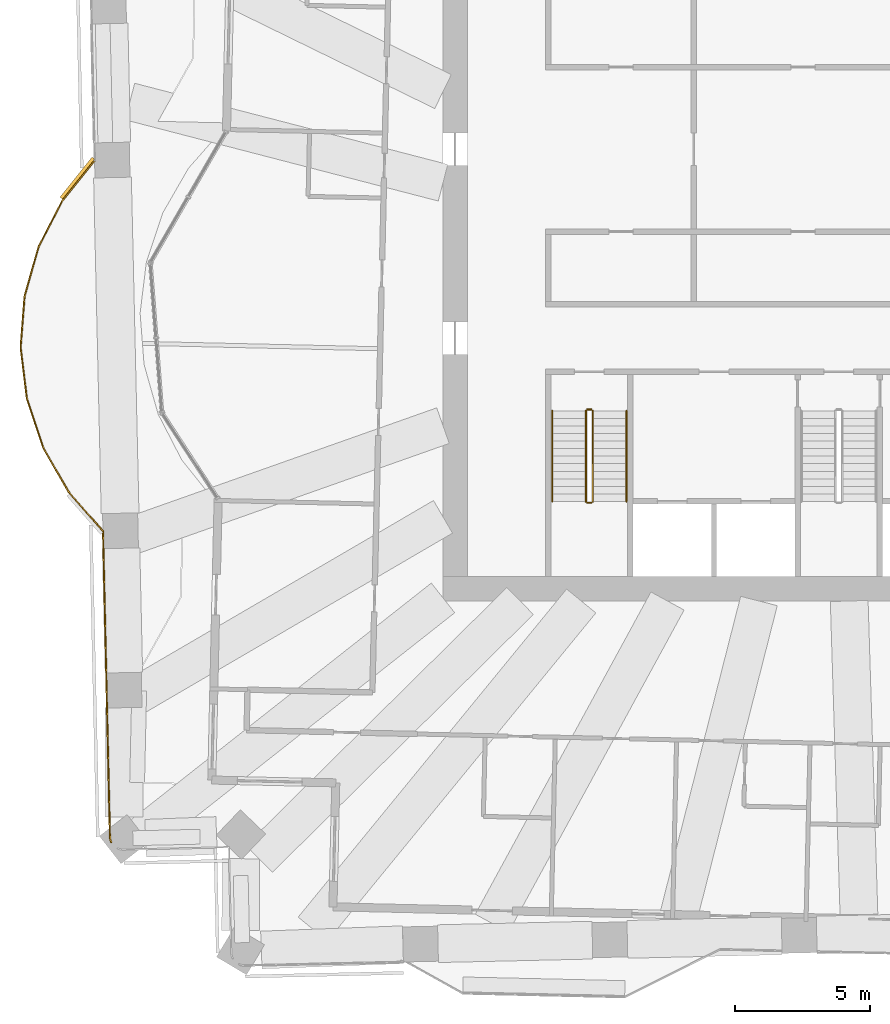
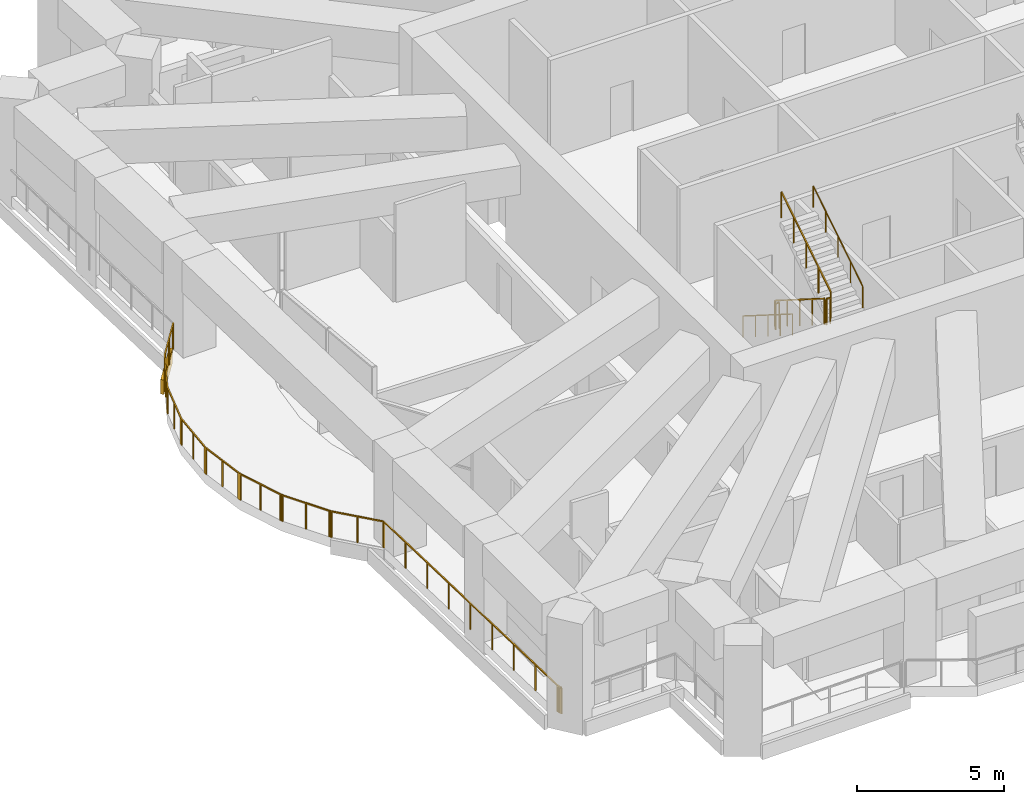
# One storey, part 14 of 17: 7 railings, 1 covering.
"""IFC4 building model written with IfcOpenShell, lengths in metres."""

from ifc_helpers import new_model, si_unit, direction, frame, frame_2d, origin, origin_2d, place, context, subcontext, project, spatial, rectangle, circle, extrude, material, layer, layer_set, type_object, element, save


model = new_model("IFC4")

# Units and contexts
model_context = context("Model", 3, precision=1e-05, world=origin(), true_north=direction((0.0, 1.0)))
body_context = subcontext(model_context, "Body", "Model", "MODEL_VIEW")
ifc_project = project(units=[si_unit("LENGTHUNIT", "METRE"), si_unit("AREAUNIT", "SQUARE_METRE"), si_unit("VOLUMEUNIT", "CUBIC_METRE"), si_unit("PLANEANGLEUNIT", "RADIAN"), si_unit("MASSUNIT", "GRAM", prefix="KILO")], contexts=[model_context])

# Site, building, storey
site_placement = place(None, origin())
site = spatial("IfcSite", under=ifc_project, at=site_placement, CompositionType="ELEMENT")
building_placement = place(site_placement, origin())
building = spatial("IfcBuilding", under=site, at=building_placement, Name="Mangrove Gate Tower", CompositionType="ELEMENT")
storey_placement = place(building_placement, frame((0.0, 0.0, 148.10009765625)))
storey = spatial("IfcBuildingStorey", under=building, at=storey_placement, Name="L37", CompositionType="ELEMENT", Elevation=148.10009765625)

# Railings
ifc_material_1 = material(Name="Stainless steel grade 316 with laminated glass infill", Category="steel")
railing_type_1 = type_object("IfcRailingType", Name="Balcony guard 1100", PredefinedType="GUARDRAIL", material=ifc_material_1)
railing_1_placement = place(storey_placement, frame((-26.998046875, -20.64794921875, 0.0)))
element("IfcRailing", 1, at=railing_1_placement, inside=storey, type_object=railing_type_1, Name="GUARD L37 T3.7", PredefinedType="GUARDRAIL", context=body_context, shape_type="SweptSolid", body=[
    extrude(rectangle(XDim=0.048095703125, YDim=0.048095703125, at=origin_2d()), frame((0.0, 0.0, 1.076171875), z_axis=(-0.43301833784, 0.901385111422, 0.0), x_axis=(-0.901385111422, -0.43301833784, 0.0)), (0.0, 0.0, 1.0), 0.027587890625),
    extrude(rectangle(XDim=0.048095703125, YDim=0.048095703125, at=origin_2d()), frame((-0.011962890625, 0.02490234375, 1.076171875), z_axis=(-0.364585106892, 0.931170070305, 0.0), x_axis=(-0.931170070305, -0.364585106892, 0.0)), (0.0, 0.0, 1.0), 0.049560546875),
    extrude(rectangle(XDim=0.048095703125, YDim=0.048095703125, at=origin_2d()), frame((-0.030029296875, 0.071044921875, 1.076171875), z_axis=(-0.266089874363, 0.963948224108, 0.0), x_axis=(-0.963948224108, -0.266089874363, 0.0)), (0.0, 0.0, 1.0), 0.048583984375),
    extrude(rectangle(XDim=0.048095703125, YDim=0.048095703125, at=origin_2d()), frame((-0.04296875, 0.117919921875, 1.076171875), z_axis=(-0.162010149383, 0.986789091699, 0.0), x_axis=(-0.986789091699, -0.162010149383, 0.0)), (0.0, 0.0, 1.0), 0.0498046875),
    extrude(rectangle(XDim=0.048095703125, YDim=0.048095703125, at=origin_2d()), frame((-0.051025390625, 0.1669921875, 1.076171875), z_axis=(-0.059595380047, 0.998222615791, 0.0), x_axis=(-0.998222615791, -0.059595380047, 0.0)), (0.0, 0.0, 1.0), 0.049072265625),
    extrude(rectangle(XDim=0.048095703125, YDim=0.048095703125, at=origin_2d()), frame((-0.053955078125, 0.216064453125, 1.076171875), z_axis=(-0.022726798293, 0.999741712964, 0.0), x_axis=(-0.999741712964, -0.022726798293, 0.0)), (0.0, 0.0, 1.0), 11.311767578125),
    extrude(rectangle(XDim=0.048095703125, YDim=0.048095703125, at=origin_2d()), frame((-0.31103515625, 11.52490234375, 1.076171875), z_axis=(-0.081362009455, 0.996684615823, 0.0), x_axis=(-0.996684615823, -0.081362009455, 0.0)), (0.0, 0.0, 1.0), 0.011962890625),
    extrude(rectangle(XDim=0.048095703125, YDim=0.048095703125, at=origin_2d()), frame((-0.31201171875, 11.536865234375, 1.076171875), z_axis=(-0.627009405212, 0.779011685263, 0.0), x_axis=(-0.779011685263, -0.627009405212, 0.0)), (0.0, 0.0, 1.0), 0.012939453125),
    extrude(rectangle(XDim=0.048095703125, YDim=0.048095703125, at=origin_2d()), frame((-0.320068359375, 11.546875, 1.076171875), z_axis=(-0.660166519748, 0.751119275618, 0.0), x_axis=(-0.751119275618, -0.660166519748, 0.0)), (0.0, 0.0, 1.0), 1.849365234375),
    extrude(rectangle(XDim=0.048095703125, YDim=0.048095703125, at=origin_2d()), frame((-1.541015625, 12.93603515625, 1.076171875), z_axis=(-0.624095578411, 0.781348007617, 0.0), x_axis=(-0.781348007617, -0.624095578411, 0.0)), (0.0, 0.0, 1.0), 0.049560546875),
    extrude(rectangle(XDim=0.048095703125, YDim=0.048095703125, at=origin_2d()), frame((-1.572021484375, 12.974853515625, 1.076171875), z_axis=(-0.538775689721, 0.842449260291, 0.0), x_axis=(-0.842449260291, -0.538775689721, 0.0)), (0.0, 0.0, 1.0), 0.0498046875),
    extrude(rectangle(XDim=0.048095703125, YDim=0.048095703125, at=origin_2d()), frame((-1.598876953125, 13.016845703125, 1.076171875), z_axis=(-0.498529299844, 0.866872849498, 0.0), x_axis=(-0.866872849498, -0.498529299844, 0.0)), (0.0, 0.0, 1.0), 1.8134765625),
    extrude(rectangle(XDim=0.048095703125, YDim=0.048095703125, at=origin_2d()), frame((-2.5029296875, 14.5888671875, 1.076171875), z_axis=(-0.445233684647, 0.895414410235, 0.0), x_axis=(-0.895414410235, -0.445233684647, 0.0)), (0.0, 0.0, 1.0), 0.04931640625),
    extrude(rectangle(XDim=0.048095703125, YDim=0.048095703125, at=origin_2d()), frame((-2.52490234375, 14.633056640625, 1.076171875), z_axis=(-0.359630314567, 0.933094870227, 0.0), x_axis=(-0.933094870227, -0.359630314567, 0.0)), (0.0, 0.0, 1.0), 0.05029296875),
    extrude(rectangle(XDim=0.048095703125, YDim=0.048095703125, at=origin_2d()), frame((-2.54296875, 14.679931640625, 1.076171875), z_axis=(-0.316712695221, 0.94852151725, 0.0), x_axis=(-0.94852151725, -0.316712695221, 0.0)), (0.0, 0.0, 1.0), 1.812255859375),
    extrude(rectangle(XDim=0.048095703125, YDim=0.048095703125, at=origin_2d()), frame((-3.116943359375, 16.39892578125, 1.076171875), z_axis=(-0.259797678908, 0.965663070659, 0.0), x_axis=(-0.965663070659, -0.259797678908, 0.0)), (0.0, 0.0, 1.0), 0.0498046875),
    extrude(rectangle(XDim=0.048095703125, YDim=0.048095703125, at=origin_2d()), frame((-3.1298828125, 16.447021484375, 1.076171875), z_axis=(-0.181913199611, 0.983314592492, 0.0), x_axis=(-0.983314592492, -0.181913199611, 0.0)), (0.0, 0.0, 1.0), 0.049560546875),
    extrude(rectangle(XDim=0.048095703125, YDim=0.048095703125, at=origin_2d()), frame((-3.138916015625, 16.495849609375, 1.076171875), z_axis=(-0.121830808163, 0.992550882415, 0.0), x_axis=(-0.992550882415, -0.121830808163, 0.0)), (0.0, 0.0, 1.0), 1.8134765625),
    extrude(rectangle(XDim=0.048095703125, YDim=0.048095703125, at=origin_2d()), frame((-3.35986328125, 18.2958984375, 1.076171875), z_axis=(-0.084276225487, 0.996442430759, 0.0), x_axis=(-0.996442430759, -0.084276225487, 0.0)), (0.0, 0.0, 1.0), 0.04931640625),
    extrude(rectangle(XDim=0.048095703125, YDim=0.048095703125, at=origin_2d()), frame((-3.364013671875, 18.344970703125, 1.076171875), z_axis=(0.019508481785, 0.999809691461, 0.0), x_axis=(-0.999809691461, 0.019508481785, 0.0)), (0.0, 0.0, 1.0), 0.050048828125),
    extrude(rectangle(XDim=0.048095703125, YDim=0.048095703125, at=origin_2d()), frame((-3.363037109375, 18.39501953125, 1.076171875), z_axis=(0.077324877047, 0.997005949526, 0.0), x_axis=(-0.997005949526, 0.077324877047, 0.0)), (0.0, 0.0, 1.0), 1.812255859375),
    extrude(rectangle(XDim=0.048095703125, YDim=0.048095703125, at=origin_2d()), frame((-3.222900390625, 20.201904296875, 1.076171875), z_axis=(0.116279015178, 0.993216587975, 0.0), x_axis=(-0.993216587975, 0.116279015178, 0.0)), (0.0, 0.0, 1.0), 0.05029296875),
    extrude(rectangle(XDim=0.048095703125, YDim=0.048095703125, at=origin_2d()), frame((-3.217041015625, 20.251953125, 1.076171875), z_axis=(0.222690428814, 0.974889210585, 0.0), x_axis=(-0.974889210585, 0.222690428814, 0.0)), (0.0, 0.0, 1.0), 0.04931640625),
    extrude(rectangle(XDim=0.048095703125, YDim=0.048095703125, at=origin_2d()), frame((-3.2060546875, 20.300048828125, 1.076171875), z_axis=(0.273618303301, 0.961838356533, 0.0), x_axis=(-0.961838356533, 0.273618303301, 0.0)), (0.0, 0.0, 1.0), 1.81298828125),
    extrude(rectangle(XDim=0.048095703125, YDim=0.048095703125, at=origin_2d()), frame((-2.7099609375, 22.0439453125, 1.076171875), z_axis=(0.323572178119, 0.94620349056, 0.0), x_axis=(-0.94620349056, 0.323572178119, 0.0)), (0.0, 0.0, 1.0), 0.0498046875),
    extrude(rectangle(XDim=0.048095703125, YDim=0.048095703125, at=origin_2d()), frame((-2.69384765625, 22.091064453125, 1.076171875), z_axis=(0.395687286362, 0.918385306618, 0.0), x_axis=(-0.918385306618, 0.395687286362, 0.0)), (0.0, 0.0, 1.0), 0.050048828125),
    extrude(rectangle(XDim=0.048095703125, YDim=0.048095703125, at=origin_2d()), frame((-2.674072265625, 22.136962890625, 1.076171875), z_axis=(0.45843707563, 0.888726869003, 0.0), x_axis=(-0.888726869003, 0.45843707563, 0.0)), (0.0, 0.0, 1.0), 1.812744140625),
    extrude(rectangle(XDim=0.048095703125, YDim=0.048095703125, at=origin_2d()), frame((-1.843017578125, 23.748046875, 1.076171875), z_axis=(0.505090118111, 0.863066609588, 0.0), x_axis=(-0.863066609588, 0.505090118111, 0.0)), (0.0, 0.0, 1.0), 0.0498046875),
    extrude(rectangle(XDim=0.048095703125, YDim=0.048095703125, at=origin_2d()), frame((-1.81787109375, 23.791015625, 1.076171875), z_axis=(0.584043919875, 0.811722058131, 0.0), x_axis=(-0.811722058131, 0.584043919875, 0.0)), (0.0, 0.0, 1.0), 0.04931640625),
    extrude(rectangle(XDim=0.048095703125, YDim=0.048095703125, at=origin_2d()), frame((-1.7890625, 23.8310546875, 1.076171875), z_axis=(0.625723952233, 0.78004457283, 0.0), x_axis=(-0.78004457283, 0.625723952233, 0.0)), (0.0, 0.0, 1.0), 1.85107421875),
    extrude(rectangle(XDim=0.048095703125, YDim=0.048095703125, at=origin_2d()), frame((-0.630859375, 25.27490234375, 1.076171875), z_axis=(0.563961646158, 0.825800981874, 0.0), x_axis=(-0.825800981874, 0.563961646158, 0.0)), (0.0, 0.0, 1.0), 0.01220703125),
    extrude(rectangle(XDim=0.048095703125, YDim=0.048095703125, at=origin_2d()), frame((-0.6240234375, 25.284912109375, 1.076171875), z_axis=(0.0, 1.0, 0.0), x_axis=(-1.0, 0.0, 0.0)), (0.0, 0.0, 1.0), 0.011962890625),
    extrude(rectangle(XDim=0.0419921875, YDim=0.0419921875, at=origin_2d()), origin(), (0.0, 0.0, 1.0), 1.052001953125),
    extrude(rectangle(XDim=0.0419921875, YDim=0.0419921875, at=origin_2d()), frame((-0.011962890625, 0.02490234375, 0.0)), (0.0, 0.0, 1.0), 1.052001953125),
    extrude(rectangle(XDim=0.0419921875, YDim=0.0419921875, at=origin_2d()), frame((-0.030029296875, 0.071044921875, 0.0)), (0.0, 0.0, 1.0), 1.052001953125),
    extrude(rectangle(XDim=0.0419921875, YDim=0.0419921875, at=origin_2d()), frame((-0.04296875, 0.117919921875, 0.0)), (0.0, 0.0, 1.0), 1.052001953125),
    extrude(rectangle(XDim=0.0419921875, YDim=0.0419921875, at=origin_2d()), frame((-0.051025390625, 0.1669921875, 0.0)), (0.0, 0.0, 1.0), 1.052001953125),
    extrude(rectangle(XDim=0.0419921875, YDim=0.0419921875, at=origin_2d()), frame((-0.053955078125, 0.216064453125, 0.0)), (0.0, 0.0, 1.0), 1.052001953125),
    extrude(rectangle(XDim=0.0419921875, YDim=0.0419921875, at=origin_2d()), frame((-0.086181640625, 1.629638671875, 0.0)), (0.0, 0.0, 1.0), 1.052001953125),
    extrude(rectangle(XDim=0.0419921875, YDim=0.0419921875, at=origin_2d()), frame((-0.1181640625, 3.043212890625, 0.0)), (0.0, 0.0, 1.0), 1.052001953125),
    extrude(rectangle(XDim=0.0419921875, YDim=0.0419921875, at=origin_2d()), frame((-0.150390625, 4.456787109375, 0.0)), (0.0, 0.0, 1.0), 1.052001953125),
    extrude(rectangle(XDim=0.0419921875, YDim=0.0419921875, at=origin_2d()), frame((-0.1826171875, 5.87060546875, 0.0)), (0.0, 0.0, 1.0), 1.052001953125),
    extrude(rectangle(XDim=0.0419921875, YDim=0.0419921875, at=origin_2d()), frame((-0.214599609375, 7.2841796875, 0.0)), (0.0, 0.0, 1.0), 1.052001953125),
    extrude(rectangle(XDim=0.0419921875, YDim=0.0419921875, at=origin_2d()), frame((-0.246826171875, 8.69775390625, 0.0)), (0.0, 0.0, 1.0), 1.052001953125),
    extrude(rectangle(XDim=0.0419921875, YDim=0.0419921875, at=origin_2d()), frame((-0.27880859375, 10.111328125, 0.0)), (0.0, 0.0, 1.0), 1.052001953125),
    extrude(rectangle(XDim=0.0419921875, YDim=0.0419921875, at=origin_2d()), frame((-0.31103515625, 11.52490234375, 0.0)), (0.0, 0.0, 1.0), 1.052001953125),
    extrude(rectangle(XDim=0.0419921875, YDim=0.0419921875, at=origin_2d()), frame((-0.31201171875, 11.536865234375, 0.0)), (0.0, 0.0, 1.0), 1.052001953125),
    extrude(rectangle(XDim=0.0419921875, YDim=0.0419921875, at=origin_2d()), frame((-0.320068359375, 11.546875, 0.0)), (0.0, 0.0, 1.0), 1.052001953125),
    extrude(rectangle(XDim=0.0419921875, YDim=0.0419921875, at=origin_2d()), frame((-0.9306640625, 12.241455078125, 0.0)), (0.0, 0.0, 1.0), 1.052001953125),
    extrude(rectangle(XDim=0.0419921875, YDim=0.0419921875, at=origin_2d()), frame((-1.541015625, 12.93603515625, 0.0)), (0.0, 0.0, 1.0), 1.052001953125),
    extrude(rectangle(XDim=0.0419921875, YDim=0.0419921875, at=origin_2d()), frame((-1.572021484375, 12.974853515625, 0.0)), (0.0, 0.0, 1.0), 1.052001953125),
    extrude(rectangle(XDim=0.0419921875, YDim=0.0419921875, at=origin_2d()), frame((-1.598876953125, 13.016845703125, 0.0)), (0.0, 0.0, 1.0), 1.052001953125),
    extrude(rectangle(XDim=0.0419921875, YDim=0.0419921875, at=origin_2d()), frame((-2.05078125, 13.802734375, 0.0)), (0.0, 0.0, 1.0), 1.052001953125),
    extrude(rectangle(XDim=0.0419921875, YDim=0.0419921875, at=origin_2d()), frame((-2.5029296875, 14.5888671875, 0.0)), (0.0, 0.0, 1.0), 1.052001953125),
    extrude(rectangle(XDim=0.0419921875, YDim=0.0419921875, at=origin_2d()), frame((-2.52490234375, 14.633056640625, 0.0)), (0.0, 0.0, 1.0), 1.052001953125),
    extrude(rectangle(XDim=0.0419921875, YDim=0.0419921875, at=origin_2d()), frame((-2.54296875, 14.679931640625, 0.0)), (0.0, 0.0, 1.0), 1.052001953125),
    extrude(rectangle(XDim=0.0419921875, YDim=0.0419921875, at=origin_2d()), frame((-2.830078125, 15.53955078125, 0.0)), (0.0, 0.0, 1.0), 1.052001953125),
    extrude(rectangle(XDim=0.0419921875, YDim=0.0419921875, at=origin_2d()), frame((-3.116943359375, 16.39892578125, 0.0)), (0.0, 0.0, 1.0), 1.052001953125),
    extrude(rectangle(XDim=0.0419921875, YDim=0.0419921875, at=origin_2d()), frame((-3.1298828125, 16.447021484375, 0.0)), (0.0, 0.0, 1.0), 1.052001953125),
    extrude(rectangle(XDim=0.0419921875, YDim=0.0419921875, at=origin_2d()), frame((-3.138916015625, 16.495849609375, 0.0)), (0.0, 0.0, 1.0), 1.052001953125),
    extrude(rectangle(XDim=0.0419921875, YDim=0.0419921875, at=origin_2d()), frame((-3.24951171875, 17.39599609375, 0.0)), (0.0, 0.0, 1.0), 1.052001953125),
    extrude(rectangle(XDim=0.0419921875, YDim=0.0419921875, at=origin_2d()), frame((-3.35986328125, 18.2958984375, 0.0)), (0.0, 0.0, 1.0), 1.052001953125),
    extrude(rectangle(XDim=0.0419921875, YDim=0.0419921875, at=origin_2d()), frame((-3.364013671875, 18.344970703125, 0.0)), (0.0, 0.0, 1.0), 1.052001953125),
    extrude(rectangle(XDim=0.0419921875, YDim=0.0419921875, at=origin_2d()), frame((-3.363037109375, 18.39501953125, 0.0)), (0.0, 0.0, 1.0), 1.052001953125),
    extrude(rectangle(XDim=0.0419921875, YDim=0.0419921875, at=origin_2d()), frame((-3.29296875, 19.29833984375, 0.0)), (0.0, 0.0, 1.0), 1.052001953125),
    extrude(rectangle(XDim=0.0419921875, YDim=0.0419921875, at=origin_2d()), frame((-3.222900390625, 20.201904296875, 0.0)), (0.0, 0.0, 1.0), 1.052001953125),
    extrude(rectangle(XDim=0.0419921875, YDim=0.0419921875, at=origin_2d()), frame((-3.217041015625, 20.251953125, 0.0)), (0.0, 0.0, 1.0), 1.052001953125),
    extrude(rectangle(XDim=0.0419921875, YDim=0.0419921875, at=origin_2d()), frame((-3.2060546875, 20.300048828125, 0.0)), (0.0, 0.0, 1.0), 1.052001953125),
    extrude(rectangle(XDim=0.0419921875, YDim=0.0419921875, at=origin_2d()), frame((-2.9580078125, 21.171875, 0.0)), (0.0, 0.0, 1.0), 1.052001953125),
    extrude(rectangle(XDim=0.0419921875, YDim=0.0419921875, at=origin_2d()), frame((-2.7099609375, 22.0439453125, 0.0)), (0.0, 0.0, 1.0), 1.052001953125),
    extrude(rectangle(XDim=0.0419921875, YDim=0.0419921875, at=origin_2d()), frame((-2.69384765625, 22.091064453125, 0.0)), (0.0, 0.0, 1.0), 1.052001953125),
    extrude(rectangle(XDim=0.0419921875, YDim=0.0419921875, at=origin_2d()), frame((-2.674072265625, 22.136962890625, 0.0)), (0.0, 0.0, 1.0), 1.052001953125),
    extrude(rectangle(XDim=0.0419921875, YDim=0.0419921875, at=origin_2d()), frame((-2.258544921875, 22.9423828125, 0.0)), (0.0, 0.0, 1.0), 1.052001953125),
    extrude(rectangle(XDim=0.0419921875, YDim=0.0419921875, at=origin_2d()), frame((-1.843017578125, 23.748046875, 0.0)), (0.0, 0.0, 1.0), 1.052001953125),
    extrude(rectangle(XDim=0.0419921875, YDim=0.0419921875, at=origin_2d()), frame((-1.81787109375, 23.791015625, 0.0)), (0.0, 0.0, 1.0), 1.052001953125),
    extrude(rectangle(XDim=0.0419921875, YDim=0.0419921875, at=origin_2d()), frame((-1.7890625, 23.8310546875, 0.0)), (0.0, 0.0, 1.0), 1.052001953125),
    extrude(rectangle(XDim=0.0419921875, YDim=0.0419921875, at=origin_2d()), frame((-1.2099609375, 24.552978515625, 0.0)), (0.0, 0.0, 1.0), 1.052001953125),
    extrude(rectangle(XDim=0.0419921875, YDim=0.0419921875, at=origin_2d()), frame((-0.630859375, 25.27490234375, 0.0)), (0.0, 0.0, 1.0), 1.052001953125),
    extrude(rectangle(XDim=0.0419921875, YDim=0.0419921875, at=origin_2d()), frame((-0.6240234375, 25.284912109375, 0.0)), (0.0, 0.0, 1.0), 1.052001953125),
    extrude(rectangle(XDim=0.0419921875, YDim=0.0419921875, at=origin_2d()), frame((-0.6240234375, 25.296875, 0.0)), (0.0, 0.0, 1.0), 1.052001953125),
])
ifc_material_2 = material(Name="Stainless steel 316", Category="steel")
railing_type_2 = type_object("IfcRailingType", Name="Core stair guard 1100", PredefinedType="GUARDRAIL", material=ifc_material_2)
railing_2_placement = place(storey_placement, frame((-9.39990234375, -4.64990234375, 0.1767578125)))
element("IfcRailing", 2, at=railing_2_placement, inside=storey, type_object=railing_type_2, Name="L37 ST1 stair guard 1", PredefinedType="GUARDRAIL", context=body_context, shape_type="SweptSolid", body=[
    extrude(rectangle(XDim=0.048095703125, YDim=0.048095703125, at=origin_2d()), frame((0.0, 0.0, 1.076171875), z_axis=(0.0, -0.845389635667, 0.534150132366), x_axis=(1.0, 0.0, 0.0)), (0.0, 0.0, 1.0), 3.974609375),
    extrude(rectangle(XDim=0.0419921875, YDim=0.0419921875, at=origin_2d()), origin(), (0.0, 0.0, 1.0), 1.052001953125),
    extrude(rectangle(XDim=0.0419921875, YDim=0.0419921875, at=origin_2d()), frame((0.0, -0.840087890625, 0.53076171875)), (0.0, 0.0, 1.0), 1.052001953125),
    extrude(rectangle(XDim=0.0419921875, YDim=0.0419921875, at=origin_2d()), frame((0.0, -1.68017578125, 1.0615234375)), (0.0, 0.0, 1.0), 1.052001953125),
    extrude(rectangle(XDim=0.0419921875, YDim=0.0419921875, at=origin_2d()), frame((0.0, -2.52001953125, 1.59228515625)), (0.0, 0.0, 1.0), 1.052001953125),
    extrude(rectangle(XDim=0.0419921875, YDim=0.0419921875, at=origin_2d()), frame((0.0, -3.360107421875, 2.123046875)), (0.0, 0.0, 1.0), 1.052001953125),
])
railing_3_placement = place(storey_placement, frame((-9.35009765625, -8.06005859375, 2.2998046875)))
element("IfcRailing", 3, at=railing_3_placement, inside=storey, type_object=railing_type_2, Name="L37 ST1 stair guard 2", PredefinedType="GUARDRAIL", context=body_context, shape_type="SweptSolid", body=[
    extrude(rectangle(XDim=0.048095703125, YDim=0.048095703125, at=origin_2d()), frame((0.0, 0.0, 1.076171875), z_axis=(1.0, 0.0, 0.0), x_axis=(0.0, 1.0, 0.0)), (0.0, 0.0, 1.0), 0.150146484375),
    extrude(rectangle(XDim=0.0419921875, YDim=0.0419921875, at=origin_2d()), origin(), (0.0, 0.0, 1.0), 1.052001953125),
    extrude(rectangle(XDim=0.0419921875, YDim=0.0419921875, at=origin_2d()), frame((0.150146484375, 0.0, 0.0)), (0.0, 0.0, 1.0), 1.052001953125),
])
railing_4_placement = place(storey_placement, frame((-9.14990234375, -8.010009765625, 2.476806640625)))
element("IfcRailing", 4, at=railing_4_placement, inside=storey, type_object=railing_type_2, Name="L37 ST1 stair guard 3", PredefinedType="GUARDRAIL", context=body_context, shape_type="SweptSolid", body=[
    extrude(rectangle(XDim=0.048095703125, YDim=0.048095703125, at=origin_2d()), frame((0.0, 0.0, 1.076171875), z_axis=(0.0, 0.845389635667, 0.534150132366), x_axis=(-1.0, 0.0, 0.0)), (0.0, 0.0, 1.0), 3.974609375),
    extrude(rectangle(XDim=0.0419921875, YDim=0.0419921875, at=origin_2d()), origin(), (0.0, 0.0, 1.0), 1.052001953125),
    extrude(rectangle(XDim=0.0419921875, YDim=0.0419921875, at=origin_2d()), frame((0.0, 0.840087890625, 0.53076171875)), (0.0, 0.0, 1.0), 1.052001953125),
    extrude(rectangle(XDim=0.0419921875, YDim=0.0419921875, at=origin_2d()), frame((0.0, 1.68017578125, 1.0615234375)), (0.0, 0.0, 1.0), 1.052001953125),
    extrude(rectangle(XDim=0.0419921875, YDim=0.0419921875, at=origin_2d()), frame((0.0, 2.52001953125, 1.59228515625)), (0.0, 0.0, 1.0), 1.052001953125),
    extrude(rectangle(XDim=0.0419921875, YDim=0.0419921875, at=origin_2d()), frame((0.0, 3.360107421875, 2.123046875)), (0.0, 0.0, 1.0), 1.052001953125),
])
railing_5_placement = place(storey_placement, frame((-9.35009765625, -4.60009765625, 0.0)))
element("IfcRailing", 5, at=railing_5_placement, inside=storey, type_object=railing_type_2, Name="L37 ST1 stair guard 4", PredefinedType="GUARDRAIL", context=body_context, shape_type="SweptSolid", body=[
    extrude(rectangle(XDim=0.048095703125, YDim=0.048095703125, at=origin_2d()), frame((0.0, 0.0, 1.076171875), z_axis=(1.0, 0.0, 0.0), x_axis=(0.0, 1.0, 0.0)), (0.0, 0.0, 1.0), 0.150146484375),
    extrude(rectangle(XDim=0.0419921875, YDim=0.0419921875, at=origin_2d()), origin(), (0.0, 0.0, 1.0), 1.052001953125),
    extrude(rectangle(XDim=0.0419921875, YDim=0.0419921875, at=origin_2d()), frame((0.150146484375, 0.0, 0.0)), (0.0, 0.0, 1.0), 1.052001953125),
])
ifc_material_3 = material(Name="Stainless steel 316", Category="steel")
railing_type_3 = type_object("IfcRailingType", Name="Core stair handrail 900", PredefinedType="HANDRAIL", material=ifc_material_3)
railing_6_placement = place(storey_placement, frame((-10.64990234375, -4.64990234375, 0.1767578125)))
element("IfcRailing", 6, at=railing_6_placement, inside=storey, type_object=railing_type_3, Name="L37 ST1 stair handrail 1", PredefinedType="HANDRAIL", context=body_context, shape_type="SweptSolid", body=[
    extrude(circle(Radius=0.02392578125, at=origin_2d()), frame((0.0, 0.0, 0.8759765625), z_axis=(0.0, -0.845389635667, 0.534150132366), x_axis=(1.0, 0.0, 0.0)), (0.0, 0.0, 1.0), 3.974609375),
    extrude(circle(Radius=0.02099609375, at=origin_2d()), origin(), (0.0, 0.0, 1.0), 0.851806640625),
    extrude(circle(Radius=0.02099609375, at=origin_2d()), frame((0.0, -0.840087890625, 0.53076171875)), (0.0, 0.0, 1.0), 0.851806640625),
    extrude(circle(Radius=0.02099609375, at=origin_2d()), frame((0.0, -1.68017578125, 1.0615234375)), (0.0, 0.0, 1.0), 0.851806640625),
    extrude(circle(Radius=0.02099609375, at=origin_2d()), frame((0.0, -2.52001953125, 1.59228515625)), (0.0, 0.0, 1.0), 0.851806640625),
    extrude(circle(Radius=0.02099609375, at=origin_2d()), frame((0.0, -3.360107421875, 2.123046875)), (0.0, 0.0, 1.0), 0.851806640625),
])
railing_7_placement = place(storey_placement, frame((-7.89990234375, -8.010009765625, 2.476806640625)))
element("IfcRailing", 7, at=railing_7_placement, inside=storey, type_object=railing_type_3, Name="L37 ST1 stair handrail 2", PredefinedType="HANDRAIL", context=body_context, shape_type="SweptSolid", body=[
    extrude(circle(Radius=0.02392578125, at=origin_2d()), frame((0.0, 0.0, 0.8759765625), z_axis=(0.0, 0.845389635667, 0.534150132366), x_axis=(-1.0, 0.0, 0.0)), (0.0, 0.0, 1.0), 3.974609375),
    extrude(circle(Radius=0.02099609375, at=origin_2d()), origin(), (0.0, 0.0, 1.0), 0.851806640625),
    extrude(circle(Radius=0.02099609375, at=origin_2d()), frame((0.0, 0.840087890625, 0.53076171875)), (0.0, 0.0, 1.0), 0.851806640625),
    extrude(circle(Radius=0.02099609375, at=origin_2d()), frame((0.0, 1.68017578125, 1.0615234375)), (0.0, 0.0, 1.0), 0.851806640625),
    extrude(circle(Radius=0.02099609375, at=origin_2d()), frame((0.0, 2.52001953125, 1.59228515625)), (0.0, 0.0, 1.0), 0.851806640625),
    extrude(circle(Radius=0.02099609375, at=origin_2d()), frame((0.0, 3.360107421875, 2.123046875)), (0.0, 0.0, 1.0), 0.851806640625),
])

# Covering
ifc_material_4 = material(Name="Limestone", Category="masonry")
ifc_layer_1 = layer(ifc_material_4, 0.0400390625, Name="Limestone cladding")
ifc_material_5 = material(Name="Stainless steel anchors and cavity", Category="steel")
ifc_layer_2 = layer(ifc_material_5, 0.080078125, Name="Fixing cavity")
ifc_layer_set = layer_set([ifc_layer_1, ifc_layer_2], Name="Joint fascia cladding 120")
covering_type = type_object("IfcCoveringType", Name="Joint fascia cladding 120", PredefinedType="CLADDING", material=ifc_layer_set)
covering_placement = place(storey_placement, frame((-28.85693359375, 3.239990234375, -0.60009765625), z_axis=(0.0, 0.0, 1.0), x_axis=(0.625791376037, 0.779990483069, 0.0)))
element("IfcCovering", 8, at=covering_placement, inside=storey, type_object=covering_type, Name="STONE FASCIA L37 TB43-7.3", PredefinedType="CLADDING", context=body_context, shape_type="SweptSolid", body=[
    extrude(rectangle(XDim=1.89990234375, YDim=0.1201171875, at=frame_2d((0.949951171875, 0.0))), origin(), (0.0, 0.0, 1.0), 0.60009765625),
])

save(model, "model.ifc")
